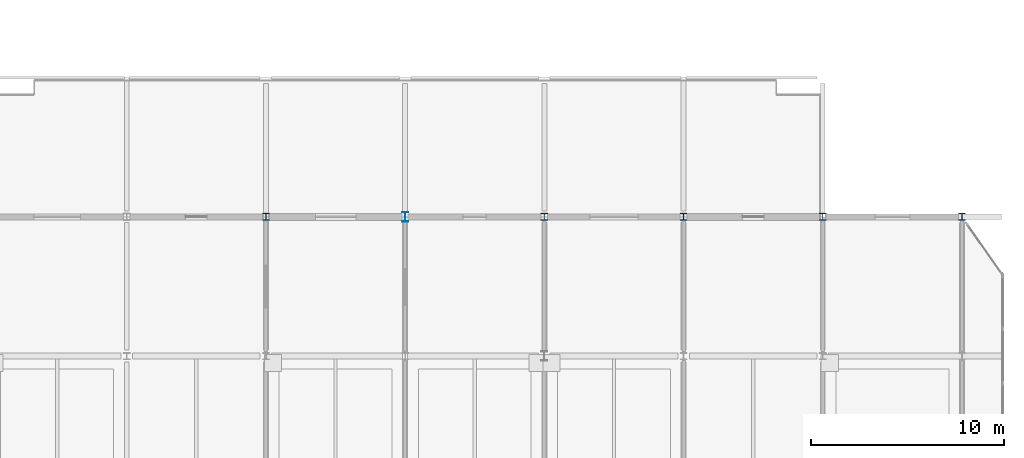
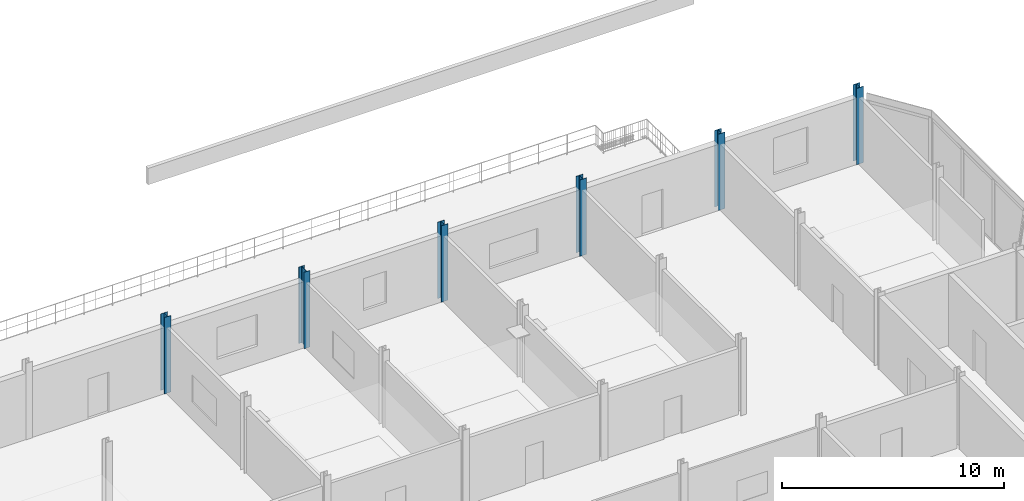
# One storey, part 4 of 26: 6 columns.
"""IFC4 building model written with IfcOpenShell, lengths in metres."""

from ifc_helpers import new_model, si_unit, direction, frame, origin, origin_2d, place, context, subcontext, project, spatial, i_section, extrude, material, material_profile, profile_set, type_object, element, save


model = new_model("IFC4")

# Units and contexts
model_context = context("Model", 3, precision=1e-05, world=origin(), true_north=direction((0.0, 1.0)))
body_context = subcontext(model_context, "Body", "Model", "MODEL_VIEW")
ifc_project = project(units=[si_unit("LENGTHUNIT", "METRE"), si_unit("AREAUNIT", "SQUARE_METRE"), si_unit("VOLUMEUNIT", "CUBIC_METRE"), si_unit("PLANEANGLEUNIT", "RADIAN"), si_unit("MASSUNIT", "GRAM", prefix="KILO")], contexts=[model_context])

# Site, building, storey
site_placement = place(None, origin())
site = spatial("IfcSite", under=ifc_project, at=site_placement, CompositionType="ELEMENT")
building_placement = place(site_placement, origin())
building = spatial("IfcBuilding", under=site, at=building_placement, Name="Vesperath Aquatics Centre", CompositionType="ELEMENT")
storey_placement = place(building_placement, frame((0.0, 0.0, 19.199951171875)))
storey = spatial("IfcBuildingStorey", under=building, at=storey_placement, Name="L04", CompositionType="ELEMENT", Elevation=19.199951171875)

# Columns
ifc_material_1 = material(Name="Steel Q355C", Category="steel")
ifc_material_profile_1 = material_profile(ifc_material_1, i_section(OverallWidth=0.35009765625, OverallDepth=0.35009765625, WebThickness=0.011962890625, FlangeThickness=0.01904296875, FilletRadius=0.02001953125, at=origin_2d()), Name="HW 350x350x12x19")
ifc_profile_set_1 = profile_set([ifc_material_profile_1], Name="Steel Q355C")
column_type_1 = type_object("IfcColumnType", Name="CL-C11", PredefinedType="COLUMN", material=ifc_profile_set_1)
for number, where, z_axis, x_axis, name in (
    (1, (136.800048828125, 36.0, 0.0), (0.0, 0.0, 1.0), (1.0, 0.0, 0.0), "Column C11 L04 20/F"),
    (2, (151.199951171875, 36.0, 0.0), (0.0, 0.0, 1.0), (1.0, 0.0, 0.0), "Column C11 L04 22/F"),
    (3, (158.39990234375, 36.0, 0.0), (0.0, 0.0, 1.0), (1.0, 0.0, 0.0), "Column C11 L04 23/F"),
    (4, (165.60009765625, 36.0, 0.0), (0.0, 0.0, 1.0), (1.0, 0.0, 0.0), "Column C11 L04 24/F"),
    (5, (172.800048828125, 36.0, 0.0), (0.0, 0.0, 1.0), (1.0, 0.0, 0.0), "Column C11 L04 25/F"),
):
    element("IfcColumn", number, at=place(storey_placement, frame(where, z_axis=z_axis, x_axis=x_axis)), inside=storey, type_object=column_type_1, Name=name, PredefinedType="COLUMN", context=body_context, shape_type="SweptSolid", body=[
        extrude(i_section(OverallWidth=0.35009765625, OverallDepth=0.35009765625, WebThickness=0.011962890625, FlangeThickness=0.01904296875, FilletRadius=0.02001953125, at=origin_2d()), origin(), (0.0, 0.0, 1.0), 4.199951171875),
    ])
ifc_material_2 = material(Name="Steel Q355D", Category="steel")
ifc_material_profile_2 = material_profile(ifc_material_2, i_section(OverallWidth=0.300048828125, OverallDepth=0.488037109375, WebThickness=0.010986328125, FlangeThickness=0.01806640625, FilletRadius=0.02587890625, at=origin_2d()), Name="HM 488x300x11x18")
ifc_profile_set_2 = profile_set([ifc_material_profile_2], Name="Steel Q355D")
column_type_2 = type_object("IfcColumnType", Name="CL-C18", PredefinedType="COLUMN", material=ifc_profile_set_2)
column_placement = place(storey_placement, frame((144.0, 36.0, 0.0), z_axis=(0.0, 0.0, 1.0), x_axis=(1.0, 0.0, 0.0)))
element("IfcColumn", 6, at=column_placement, inside=storey, type_object=column_type_2, Name="Column C18 L04 21/F", PredefinedType="COLUMN", context=body_context, shape_type="SweptSolid", body=[
    extrude(i_section(OverallWidth=0.300048828125, OverallDepth=0.488037109375, WebThickness=0.010986328125, FlangeThickness=0.01806640625, FilletRadius=0.02587890625, at=origin_2d()), origin(), (0.0, 0.0, 1.0), 4.199951171875),
])

save(model, "model.ifc")
